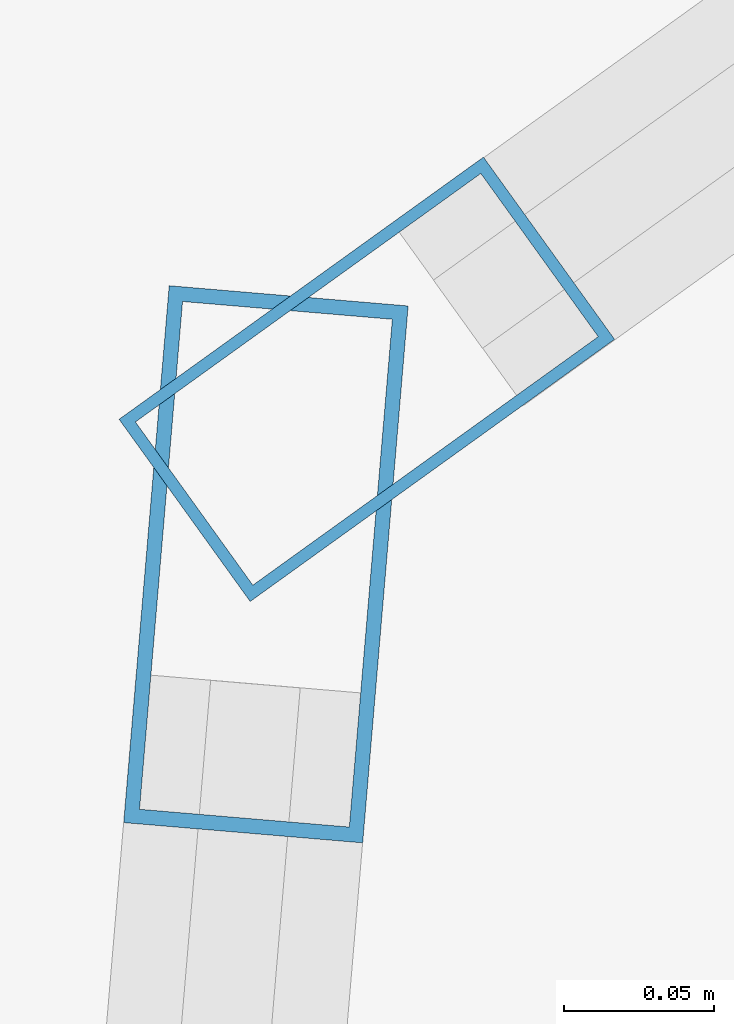
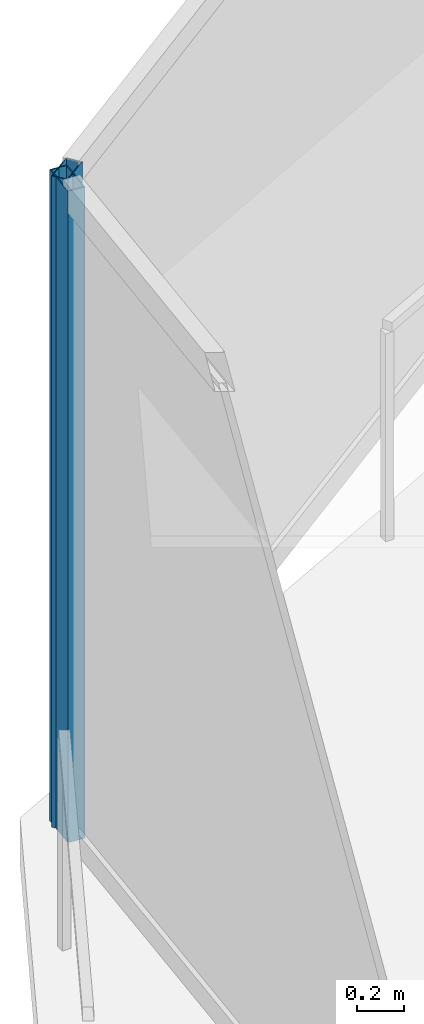
# One storey, part 17 of 30: 2 members, 2 elements without a shape of their own.
"""IFC4 building model written with IfcOpenShell, lengths in metres."""

from ifc_helpers import new_model, si_unit, direction, frame, origin, origin_2d, place, context, subcontext, project, spatial, hollow_rectangle, extrude, material, layer, layer_set, material_profile, profile_set, type_object, element, aggregate, save


model = new_model("IFC4")

# Units and contexts
model_context = context("Model", 3, precision=1e-05, world=origin(), true_north=direction((0.0, 1.0)))
body_context = subcontext(model_context, "Body", "Model", "MODEL_VIEW")
ifc_project = project(units=[si_unit("LENGTHUNIT", "METRE"), si_unit("AREAUNIT", "SQUARE_METRE"), si_unit("VOLUMEUNIT", "CUBIC_METRE"), si_unit("PLANEANGLEUNIT", "RADIAN"), si_unit("MASSUNIT", "GRAM", prefix="KILO")], contexts=[model_context])

# Site, building, storey
site_placement = place(None, origin())
site = spatial("IfcSite", under=ifc_project, at=site_placement, CompositionType="ELEMENT")
building_placement = place(site_placement, origin())
building = spatial("IfcBuilding", under=site, at=building_placement, Name="Kazevale Care Tower and Concert Hall", CompositionType="ELEMENT")
storey_placement = place(building_placement, frame((0.0, 0.0, 74.39990234375)))
storey = spatial("IfcBuildingStorey", under=building, at=storey_placement, Name="L19", CompositionType="ELEMENT", Elevation=74.39990234375)

# Curtain wall, member
ifc_material_1 = material(Name="Aluminium 6063-T6 and Low-E Glass", Category="aluminium")
ifc_layer_1 = layer(ifc_material_1, 0.179931640625)
ifc_layer_set_1 = layer_set([ifc_layer_1], Name="Aluminium 6063-T6 and Low-E Glass")
curtain_wall_type_1 = type_object("IfcCurtainWallType", Name="Convex Recessed Sunroom Curtain Wall CW-3", PredefinedType="NOTDEFINED", material=ifc_layer_set_1)
curtain_wall_1_placement = place(storey_placement, origin())
curtain_wall_1 = element("IfcCurtainWall", 1, at=curtain_wall_1_placement, inside=storey, type_object=curtain_wall_type_1, Name="cw:L19:f14", PredefinedType="NOTDEFINED")
ifc_material_2 = material(Name="Aluminium 6063-T6", Category="aluminium")
ifc_material_profile_1 = material_profile(ifc_material_2, hollow_rectangle(XDim=0.074951171875, YDim=0.14990234375, WallThickness=0.00390625, at=origin_2d()), Name="ALU75x150x4")
ifc_profile_set_1 = profile_set([ifc_material_profile_1], Name="Aluminium 6063-T6")
member_type_1 = type_object("IfcMemberType", Name="CW-3 Mullion ALU75x150x4", PredefinedType="MULLION", material=ifc_profile_set_1)
member_1_placement = place(storey_placement, frame((13.494384765625, 50.18701171875, 0.0), z_axis=(0.0, 0.0, 1.0), x_axis=(-0.583994227391, 0.811757810171, 0.0)))
member_1 = element("IfcMember", 2, at=member_1_placement, type_object=member_type_1, Name="CW-3 mullion 1", PredefinedType="MULLION", context=body_context, shape_type="SweptSolid", body=[
    extrude(hollow_rectangle(XDim=0.074951171875, YDim=0.14990234375, WallThickness=0.00390625, at=origin_2d()), origin(), (0.0, 0.0, 1.0), 3.360107421875),
])
aggregate(curtain_wall_1, [member_1])

ifc_layer_2 = layer(ifc_material_1, 0.179931640625)
ifc_layer_set_2 = layer_set([ifc_layer_2], Name="Aluminium 6063-T6 and Low-E Glass")
curtain_wall_type_2 = type_object("IfcCurtainWallType", Name="Waist & Upper Residential Curtain Wall CW-4", PredefinedType="NOTDEFINED", material=ifc_layer_set_2)
curtain_wall_2_placement = place(storey_placement, origin())
curtain_wall_2 = element("IfcCurtainWall", 3, at=curtain_wall_2_placement, inside=storey, type_object=curtain_wall_type_2, Name="cw:L19:f13", PredefinedType="NOTDEFINED")
ifc_material_profile_2 = material_profile(ifc_material_2, hollow_rectangle(XDim=0.080078125, YDim=0.179931640625, WallThickness=0.0048828125, at=origin_2d()), Name="ALU80x180x5")
ifc_profile_set_2 = profile_set([ifc_material_profile_2], Name="Aluminium 6063-T6")
member_type_2 = type_object("IfcMemberType", Name="CW-4 Mullion ALU80x180x5", PredefinedType="MULLION", material=ifc_profile_set_2)
member_2_placement = place(storey_placement, frame((13.460693359375, 50.125244140625, 0.0), z_axis=(0.0, 0.0, 1.0), x_axis=(-0.996430849754, 0.084413041998, 0.0)))
member_2 = element("IfcMember", 4, at=member_2_placement, type_object=member_type_2, Name="CW-4 mullion 2", PredefinedType="MULLION", context=body_context, shape_type="SweptSolid", body=[
    extrude(hollow_rectangle(XDim=0.080078125, YDim=0.179931640625, WallThickness=0.0048828125, at=origin_2d()), origin(), (0.0, 0.0, 1.0), 3.360107421875),
])
aggregate(curtain_wall_2, [member_2])

save(model, "model.ifc")
